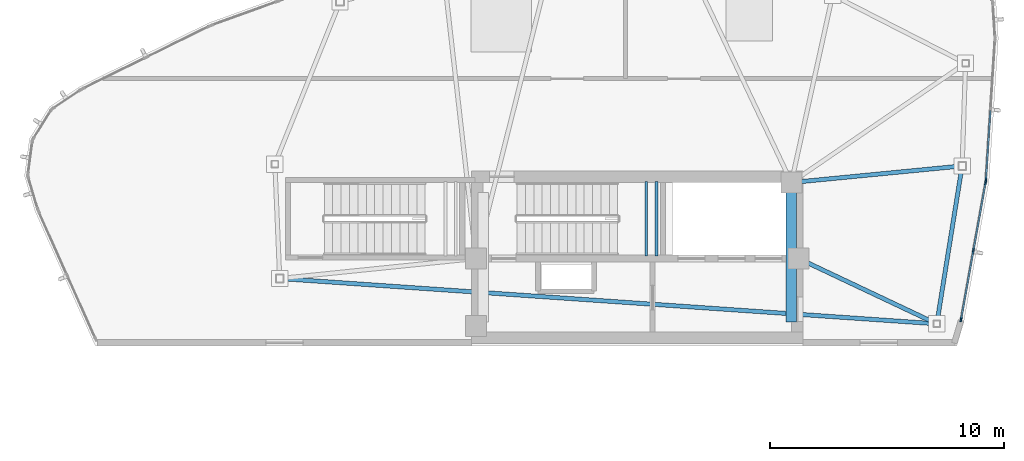
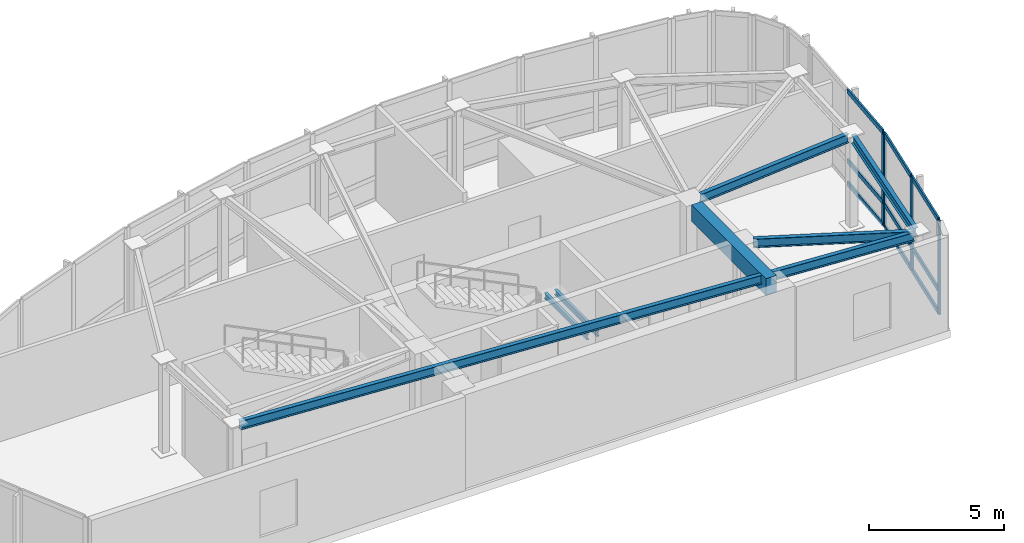
# One storey, part 3 of 11: 13 members, 7 beams, 2 elements without a shape of their own.
"""IFC4 building model written with IfcOpenShell, lengths in metres."""

from ifc_helpers import new_model, si_unit, direction, frame, origin, origin_2d, place, context, subcontext, project, spatial, rectangle, hollow_rectangle, i_section, extrude, source, transform, mapped, material, layer, layer_set, material_profile, profile_set, type_object, type_shapes, element, aggregate, save


model = new_model("IFC4")

# Units and contexts
model_context = context("Model", 3, precision=1e-05, world=origin(), true_north=direction((0.0, 1.0)))
body_context = subcontext(model_context, "Body", "Model", "MODEL_VIEW")
ifc_project = project(units=[si_unit("LENGTHUNIT", "METRE"), si_unit("AREAUNIT", "SQUARE_METRE"), si_unit("VOLUMEUNIT", "CUBIC_METRE"), si_unit("PLANEANGLEUNIT", "RADIAN"), si_unit("MASSUNIT", "GRAM", prefix="KILO")], contexts=[model_context])

# Site, building, storey
site_placement = place(None, origin())
site = spatial("IfcSite", under=ifc_project, at=site_placement, CompositionType="ELEMENT")
building_placement = place(site_placement, origin())
building = spatial("IfcBuilding", under=site, at=building_placement, Name="Tavelor Broadcast Tower", CompositionType="ELEMENT")
storey_placement = place(building_placement, frame((0.0, 0.0, 345.89990234375)))
storey = spatial("IfcBuildingStorey", under=building, at=storey_placement, Name="L82", CompositionType="ELEMENT", Elevation=345.89990234375)

# Beams
ifc_material_1 = material(Name="Concrete C40/50", Category="concrete")
ifc_material_profile_1 = material_profile(ifc_material_1, rectangle(XDim=0.449951171875, YDim=0.75, at=origin_2d()), Name="RC 450x750")
ifc_profile_set_1 = profile_set([ifc_material_profile_1], Name="Concrete C40/50")
beam_type_1 = type_object("IfcBeamType", Name="Basement Core Trim Beam 450x750", PredefinedType="BEAM", material=ifc_profile_set_1)
beam_1_placement = place(storey_placement, frame((56.60009765625, 45.23193359375, 3.875), z_axis=(0.0, 1.0, 0.0), x_axis=(-1.0, 0.0, 0.0)))
element("IfcBeam", 1, at=beam_1_placement, inside=storey, type_object=beam_type_1, Name="L82 Core East-N Tie Girder", PredefinedType="BEAM", context=body_context, shape_type="SweptSolid", body=[
    extrude(rectangle(XDim=0.449951171875, YDim=0.75, at=origin_2d()), origin(), (0.0, 0.0, 1.0), 5.5361328125),
])
ifc_material_2 = material(Name="Steel S355", Category="steel")
ifc_material_profile_2 = material_profile(ifc_material_2, i_section(OverallWidth=0.179931640625, OverallDepth=0.39990234375, WebThickness=0.008544921875, FlangeThickness=0.013427734375, at=origin_2d()), Name="IPE 400")
ifc_profile_set_2 = profile_set([ifc_material_profile_2], Name="Steel S355")
beam_type_2 = type_object("IfcBeamType", Name="Crown Ring Spandrel Beam IPE400", PredefinedType="SPANDREL", material=ifc_profile_set_2)
beam_2_placement = place(storey_placement, frame((34.868896484375, 47.07763671875, 4.050048828125), z_axis=(0.997631178399, -0.068789765859, 0.0), x_axis=(0.068789765859, 0.997631178399, 0.0)))
element("IfcBeam", 2, at=beam_2_placement, inside=storey, type_object=beam_type_2, Name="L82 Crown Peak A Ring Spandrel 3", PredefinedType="SPANDREL", context=body_context, shape_type="SweptSolid", body=[
    extrude(i_section(OverallWidth=0.179931640625, OverallDepth=0.39990234375, WebThickness=0.008544921875, FlangeThickness=0.013427734375, at=origin_2d()), origin(), (0.0, 0.0, 1.0), 27.870849609375),
])
beam_3_placement = place(storey_placement, frame((62.8505859375, 45.301025390625, 4.050048828125), z_axis=(0.158423056648, 0.987371325856, 0.0), x_axis=(-0.987371325856, 0.158423056648, 0.0)))
element("IfcBeam", 3, at=beam_3_placement, inside=storey, type_object=beam_type_2, Name="L82 Crown Peak A Ring Spandrel 4", PredefinedType="SPANDREL", context=body_context, shape_type="SweptSolid", body=[
    extrude(i_section(OverallWidth=0.179931640625, OverallDepth=0.39990234375, WebThickness=0.008544921875, FlangeThickness=0.013427734375, at=origin_2d()), origin(), (0.0, 0.0, 1.0), 6.515625),
])
beam_4_placement = place(storey_placement, frame((57.29052734375, 47.765380859375, 4.050048828125), z_axis=(0.904175381404, -0.427161421085, 0.0), x_axis=(0.427161421085, 0.904175381404, 0.0)))
element("IfcBeam", 4, at=beam_4_placement, inside=storey, type_object=beam_type_2, Name="L82 Crown Peak A Radial Beam 4", PredefinedType="SPANDREL", context=body_context, shape_type="SweptSolid", body=[
    extrude(i_section(OverallWidth=0.179931640625, OverallDepth=0.39990234375, WebThickness=0.008544921875, FlangeThickness=0.013427734375, at=origin_2d()), origin(), (0.0, 0.0, 1.0), 5.9697265625),
])
beam_5_placement = place(storey_placement, frame((57.030029296875, 51.24169921875, 4.050048828125), z_axis=(0.995308664836, 0.096750512672, 0.0), x_axis=(-0.096750512672, 0.995308664836, 0.0)))
element("IfcBeam", 5, at=beam_5_placement, inside=storey, type_object=beam_type_2, Name="L82 Crown Peak A Radial Beam 5", PredefinedType="SPANDREL", context=body_context, shape_type="SweptSolid", body=[
    extrude(i_section(OverallWidth=0.179931640625, OverallDepth=0.39990234375, WebThickness=0.008544921875, FlangeThickness=0.013427734375, at=origin_2d()), origin(), (0.0, 0.0, 1.0), 6.73486328125),
])
ifc_material_profile_3 = material_profile(ifc_material_2, i_section(OverallWidth=0.1201171875, OverallDepth=0.239990234375, WebThickness=0.006103515625, FlangeThickness=0.009765625, at=origin_2d()), Name="IPE 240")
ifc_profile_set_3 = profile_set([ifc_material_profile_3], Name="Steel S355")
beam_type_3 = type_object("IfcBeamType", Name="Stairwell Landing Support Trimmer Beam IPE240", PredefinedType="BEAM", material=ifc_profile_set_3)
for number, where, z_axis, x_axis, name in (
    (6, (50.385009765625, 48.06005859375, 1.985107421875), (0.0, 1.0, 0.0), (-1.0, 0.0, 0.0), "L82 Stair Landing Support Beam 209"),
    (7, (50.824951171875, 48.06005859375, 1.985107421875), (0.0, 1.0, 0.0), (-1.0, 0.0, 0.0), "L82 Stair Landing Support Beam 210"),
):
    element("IfcBeam", number, at=place(storey_placement, frame(where, z_axis=z_axis, x_axis=x_axis)), inside=storey, type_object=beam_type_3, Name=name, PredefinedType="BEAM", context=body_context, shape_type="SweptSolid", body=[
        extrude(i_section(OverallWidth=0.1201171875, OverallDepth=0.239990234375, WebThickness=0.006103515625, FlangeThickness=0.009765625, at=origin_2d()), origin(), (0.0, 0.0, 1.0), 3.179931640625),
    ])

# Curtain wall, members
ifc_material_3 = material(Name="Architectural Anodized Aluminium", Category="aluminium")
ifc_layer = layer(ifc_material_3, 0.2099609375)
ifc_layer_set = layer_set([ifc_layer], Name="Architectural Anodized Aluminium")
curtain_wall_type = type_object("IfcCurtainWallType", Name="Split-Crown Beacon Curtain Wall CW06", PredefinedType="NOTDEFINED", material=ifc_layer_set)
curtain_wall_1_placement = place(storey_placement, origin())
curtain_wall_1 = element("IfcCurtainWall", 8, at=curtain_wall_1_placement, inside=storey, type_object=curtain_wall_type, Name="L82 Curtain Wall CW06 Run 955", PredefinedType="NOTDEFINED")
ifc_material_profile_4 = material_profile(ifc_material_3, hollow_rectangle(XDim=0.072021484375, YDim=0.2099609375, WallThickness=0.02197265625, at=origin_2d()), Name="RHS 72x210x22")
ifc_profile_set_4 = profile_set([ifc_material_profile_4], Name="Architectural Anodized Aluminium")
member_type_1 = type_object("IfcMemberType", Name="CW06 Extruded Aluminium Mullion 72x210", PredefinedType="MULLION", material=ifc_profile_set_4)
shared_shape_1 = source(origin(), body_context, "Body", "SweptSolid", [
    extrude(hollow_rectangle(XDim=0.072021484375, YDim=0.2099609375, WallThickness=0.02197265625, at=origin_2d()), origin(), (0.0, 0.0, 1.0), 4.25),
])
type_shapes(member_type_1, [shared_shape_1])
member_1_placement = place(storey_placement, frame((63.86474609375, 45.339111328125, 0.0), z_axis=(0.0, 0.0, 1.0), x_axis=(-0.984342565212, 0.176266032777, 0.0)))
member_1 = element("IfcMember", 9, at=member_1_placement, type_object=member_type_1, Name="CW06 mullion 1", PredefinedType="MULLION", context=body_context, shape_type="MappedRepresentation", body=[
    mapped(shared_shape_1, transform((0.0, 0.0, 0.0), scale=1.0)),
])
member_2_placement = place(storey_placement, frame((64.390380859375, 48.274169921875, 0.0), z_axis=(0.0, 0.0, 1.0), x_axis=(-0.984342565212, 0.176266032777, 0.0)))
member_2 = element("IfcMember", 10, at=member_2_placement, type_object=member_type_1, Name="CW06 mullion 2", PredefinedType="MULLION", context=body_context, shape_type="MappedRepresentation", body=[
    mapped(shared_shape_1, transform((0.0, 0.0, 0.0), scale=1.0)),
])
member_3_placement = place(storey_placement, frame((64.915771484375, 51.208984375, 0.0), z_axis=(0.0, 0.0, 1.0), x_axis=(-0.984342565212, 0.176266032777, 0.0)))
member_3 = element("IfcMember", 11, at=member_3_placement, type_object=member_type_1, Name="CW06 mullion 3", PredefinedType="MULLION", context=body_context, shape_type="MappedRepresentation", body=[
    mapped(shared_shape_1, transform((0.0, 0.0, 0.0), scale=1.0)),
])

# Curtain wall, member
curtain_wall_2_placement = place(storey_placement, origin())
curtain_wall_2 = element("IfcCurtainWall", 12, at=curtain_wall_2_placement, inside=storey, type_object=curtain_wall_type, Name="L82 Curtain Wall CW06 Run 956", PredefinedType="NOTDEFINED")
member_4_placement = place(storey_placement, frame((64.92822265625, 51.31005859375, 0.0), z_axis=(0.0, 0.0, 1.0), x_axis=(-0.99789420234, 0.064862631275, 0.0)))
member_4 = element("IfcMember", 13, at=member_4_placement, type_object=member_type_1, Name="CW06 mullion 1", PredefinedType="MULLION", context=body_context, shape_type="MappedRepresentation", body=[
    mapped(shared_shape_1, transform((0.0, 0.0, 0.0), scale=1.0)),
])

# Member
ifc_material_profile_5 = material_profile(ifc_material_3, hollow_rectangle(XDim=0.072021484375, YDim=0.2099609375, WallThickness=0.02197265625, at=origin_2d()), Name="RHS 72x210x22")
ifc_profile_set_5 = profile_set([ifc_material_profile_5], Name="Architectural Anodized Aluminium")
member_type_2 = type_object("IfcMemberType", Name="CW06 Extruded Aluminium Transom 72x210", PredefinedType="USERDEFINED", material=ifc_profile_set_5)
shared_shape_2 = source(origin(), body_context, "Body", "SweptSolid", [
    extrude(hollow_rectangle(XDim=0.072021484375, YDim=0.2099609375, WallThickness=0.02197265625, at=origin_2d()), origin(), (0.0, 0.0, 1.0), 2.90966796875),
])
member_5_placement = place(storey_placement, frame((63.87109375, 45.37451171875, 0.0361328125), z_axis=(0.176293033034, 0.9843377299, 0.0), x_axis=(-0.9843377299, 0.176293033034, 0.0)))
member_5 = element("IfcMember", 14, at=member_5_placement, type_object=member_type_2, Name="CW06 transom 1.1", ObjectType="TRANSOM", PredefinedType="USERDEFINED", context=body_context, shape_type="MappedRepresentation", body=[
    mapped(shared_shape_2, transform((0.0, 0.0, 0.0), scale=1.0)),
])

member_6_placement = place(storey_placement, frame((63.87109375, 45.37451171875, 1.050048828125), z_axis=(0.176293033034, 0.9843377299, 0.0), x_axis=(-0.9843377299, 0.176293033034, 0.0)))
member_6 = element("IfcMember", 15, at=member_6_placement, type_object=member_type_2, Name="CW06 transom 1.2", ObjectType="TRANSOM", PredefinedType="USERDEFINED", context=body_context, shape_type="MappedRepresentation", body=[
    mapped(shared_shape_2, transform((0.0, 0.0, 0.0), scale=1.0)),
])

member_7_placement = place(storey_placement, frame((63.87109375, 45.37451171875, 4.214111328125), z_axis=(0.176293033034, 0.9843377299, 0.0), x_axis=(-0.9843377299, 0.176293033034, 0.0)))
member_7 = element("IfcMember", 16, at=member_7_placement, type_object=member_type_2, Name="CW06 transom 1.3", ObjectType="TRANSOM", PredefinedType="USERDEFINED", context=body_context, shape_type="MappedRepresentation", body=[
    mapped(shared_shape_2, transform((0.0, 0.0, 0.0), scale=1.0)),
])

shared_shape_3 = source(origin(), body_context, "Body", "SweptSolid", [
    extrude(hollow_rectangle(XDim=0.072021484375, YDim=0.2099609375, WallThickness=0.02197265625, at=origin_2d()), origin(), (0.0, 0.0, 1.0), 2.94140625),
])
member_8_placement = place(storey_placement, frame((64.930419921875, 51.345947265625, 0.0361328125), z_axis=(0.064904858946, 0.997891456665, 0.0), x_axis=(-0.997891456665, 0.064904858946, 0.0)))
member_8 = element("IfcMember", 17, at=member_8_placement, type_object=member_type_2, Name="CW06 transom 1.1", ObjectType="TRANSOM", PredefinedType="USERDEFINED", context=body_context, shape_type="MappedRepresentation", body=[
    mapped(shared_shape_3, transform((0.0, 0.0, 0.0), scale=1.0)),
])

member_9_placement = place(storey_placement, frame((64.930419921875, 51.345947265625, 1.050048828125), z_axis=(0.064904858946, 0.997891456665, 0.0), x_axis=(-0.997891456665, 0.064904858946, 0.0)))
member_9 = element("IfcMember", 18, at=member_9_placement, type_object=member_type_2, Name="CW06 transom 1.2", ObjectType="TRANSOM", PredefinedType="USERDEFINED", context=body_context, shape_type="MappedRepresentation", body=[
    mapped(shared_shape_3, transform((0.0, 0.0, 0.0), scale=1.0)),
])

member_10_placement = place(storey_placement, frame((64.930419921875, 51.345947265625, 4.214111328125), z_axis=(0.064904858946, 0.997891456665, 0.0), x_axis=(-0.997891456665, 0.064904858946, 0.0)))
member_10 = element("IfcMember", 19, at=member_10_placement, type_object=member_type_2, Name="CW06 transom 1.3", ObjectType="TRANSOM", PredefinedType="USERDEFINED", context=body_context, shape_type="MappedRepresentation", body=[
    mapped(shared_shape_3, transform((0.0, 0.0, 0.0), scale=1.0)),
])

aggregate(curtain_wall_2, [member_4, member_8, member_9, member_10])

shared_shape_4 = source(origin(), body_context, "Body", "SweptSolid", [
    extrude(hollow_rectangle(XDim=0.072021484375, YDim=0.2099609375, WallThickness=0.02197265625, at=origin_2d()), origin(), (0.0, 0.0, 1.0), 2.909423828125),
])
type_shapes(member_type_2, [shared_shape_2, shared_shape_3, shared_shape_4])
member_11_placement = place(storey_placement, frame((64.396728515625, 48.3095703125, 0.0361328125), z_axis=(0.176211729954, 0.984352287663, 0.0), x_axis=(-0.984352287663, 0.176211729954, 0.0)))
member_11 = element("IfcMember", 20, at=member_11_placement, type_object=member_type_2, Name="CW06 transom 2.1", ObjectType="TRANSOM", PredefinedType="USERDEFINED", context=body_context, shape_type="MappedRepresentation", body=[
    mapped(shared_shape_4, transform((0.0, 0.0, 0.0), scale=1.0)),
])

member_12_placement = place(storey_placement, frame((64.396728515625, 48.3095703125, 1.050048828125), z_axis=(0.176211729954, 0.984352287663, 0.0), x_axis=(-0.984352287663, 0.176211729954, 0.0)))
member_12 = element("IfcMember", 21, at=member_12_placement, type_object=member_type_2, Name="CW06 transom 2.2", ObjectType="TRANSOM", PredefinedType="USERDEFINED", context=body_context, shape_type="MappedRepresentation", body=[
    mapped(shared_shape_4, transform((0.0, 0.0, 0.0), scale=1.0)),
])

member_13_placement = place(storey_placement, frame((64.396728515625, 48.3095703125, 4.214111328125), z_axis=(0.176211729954, 0.984352287663, 0.0), x_axis=(-0.984352287663, 0.176211729954, 0.0)))
member_13 = element("IfcMember", 22, at=member_13_placement, type_object=member_type_2, Name="CW06 transom 2.3", ObjectType="TRANSOM", PredefinedType="USERDEFINED", context=body_context, shape_type="MappedRepresentation", body=[
    mapped(shared_shape_4, transform((0.0, 0.0, 0.0), scale=1.0)),
])

aggregate(curtain_wall_1, [member_1, member_2, member_3, member_5, member_6, member_7, member_11, member_12, member_13])

save(model, "model.ifc")
